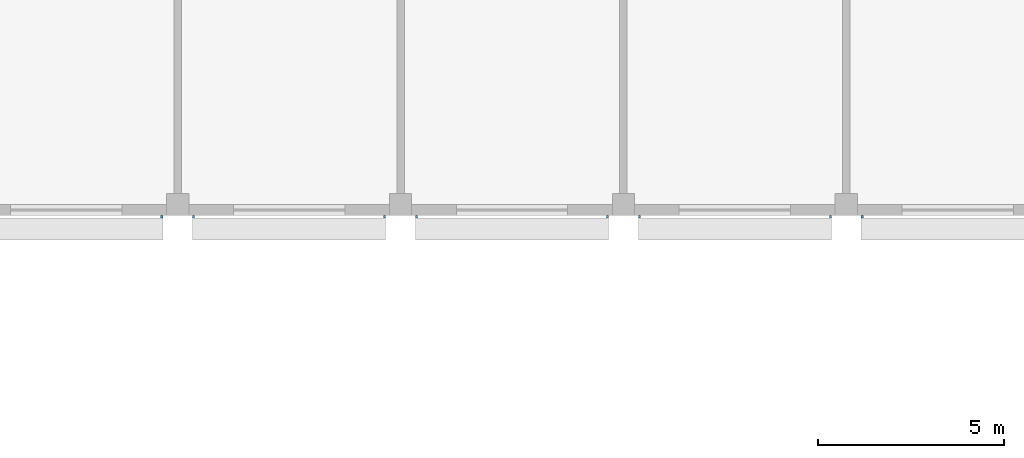
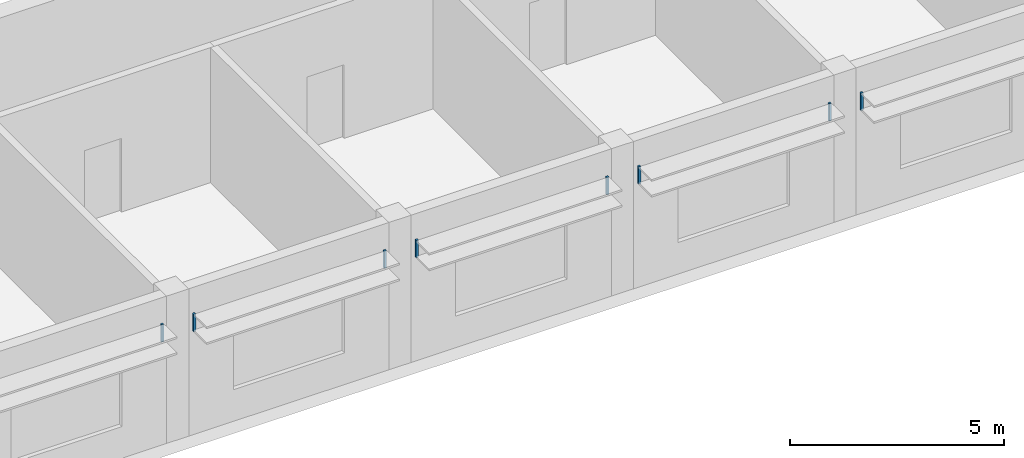
# One storey, part 29 of 45: 8 discrete accessories.
"""IFC4 building model written with IfcOpenShell, lengths in metres."""

from ifc_helpers import new_model, si_unit, direction, frame, origin, origin_2d, place, context, subcontext, project, spatial, rectangle, extrude, material, type_object, element, save


model = new_model("IFC4")

# Units and contexts
model_context = context("Model", 3, precision=1e-05, world=origin(), true_north=direction((0.0, 1.0)))
body_context = subcontext(model_context, "Body", "Model", "MODEL_VIEW")
ifc_project = project(units=[si_unit("LENGTHUNIT", "METRE"), si_unit("AREAUNIT", "SQUARE_METRE"), si_unit("VOLUMEUNIT", "CUBIC_METRE"), si_unit("PLANEANGLEUNIT", "RADIAN"), si_unit("MASSUNIT", "GRAM", prefix="KILO")], contexts=[model_context])

# Site, building, storey
site_placement = place(None, origin())
site = spatial("IfcSite", under=ifc_project, at=site_placement, CompositionType="ELEMENT")
building_placement = place(site_placement, origin())
building = spatial("IfcBuilding", under=site, at=building_placement, Name="Nakaniwa Court", CompositionType="ELEMENT")
storey_placement = place(building_placement, frame((0.0, 0.0, 11.39990234375)))
storey = spatial("IfcBuildingStorey", under=building, at=storey_placement, Name="L02", CompositionType="ELEMENT", Elevation=11.39990234375)

# Discrete accessories
ifc_material = material(Name="Black powder-coated steel bracket S275", Category="steel")
discrete_accessory_type = type_object("IfcDiscreteAccessoryType", Name="Hall black metal louvre bracket", PredefinedType="BRACKET", material=ifc_material)
for number, where, z_axis, x_axis, name in (
    (1, (194.429931640625, 55.969970703125, 2.97509765625), (0.0, 0.0, 1.0), (-1.0, 0.0, 0.0), "Louvre bracket L02 034.2"),
    (2, (193.570068359375, 55.969970703125, 2.97509765625), (0.0, 0.0, 1.0), (-1.0, 0.0, 0.0), "Louvre bracket L02 035.1"),
    (3, (188.429931640625, 55.969970703125, 2.97509765625), (0.0, 0.0, 1.0), (-1.0, 0.0, 0.0), "Louvre bracket L02 035.2"),
    (4, (187.570068359375, 55.969970703125, 2.97509765625), (0.0, 0.0, 1.0), (-1.0, 0.0, 0.0), "Louvre bracket L02 036.1"),
    (5, (182.429931640625, 55.969970703125, 2.97509765625), (0.0, 0.0, 1.0), (-1.0, 0.0, 0.0), "Louvre bracket L02 036.2"),
    (6, (181.570068359375, 55.969970703125, 2.97509765625), (0.0, 0.0, 1.0), (-1.0, 0.0, 0.0), "Louvre bracket L02 037.1"),
    (7, (176.429931640625, 55.969970703125, 2.97509765625), (0.0, 0.0, 1.0), (-1.0, 0.0, 0.0), "Louvre bracket L02 037.2"),
    (8, (175.570068359375, 55.969970703125, 2.97509765625), (0.0, 0.0, 1.0), (-1.0, 0.0, 0.0), "Louvre bracket L02 038.1"),
):
    element("IfcDiscreteAccessory", number, at=place(storey_placement, frame(where, z_axis=z_axis, x_axis=x_axis)), inside=storey, type_object=discrete_accessory_type, Name=name, PredefinedType="BRACKET", context=body_context, shape_type="SweptSolid", body=[
        extrude(rectangle(XDim=0.06005859375, YDim=0.06005859375, at=origin_2d()), origin(), (0.0, 0.0, 1.0), 0.5),
    ])

save(model, "model.ifc")
